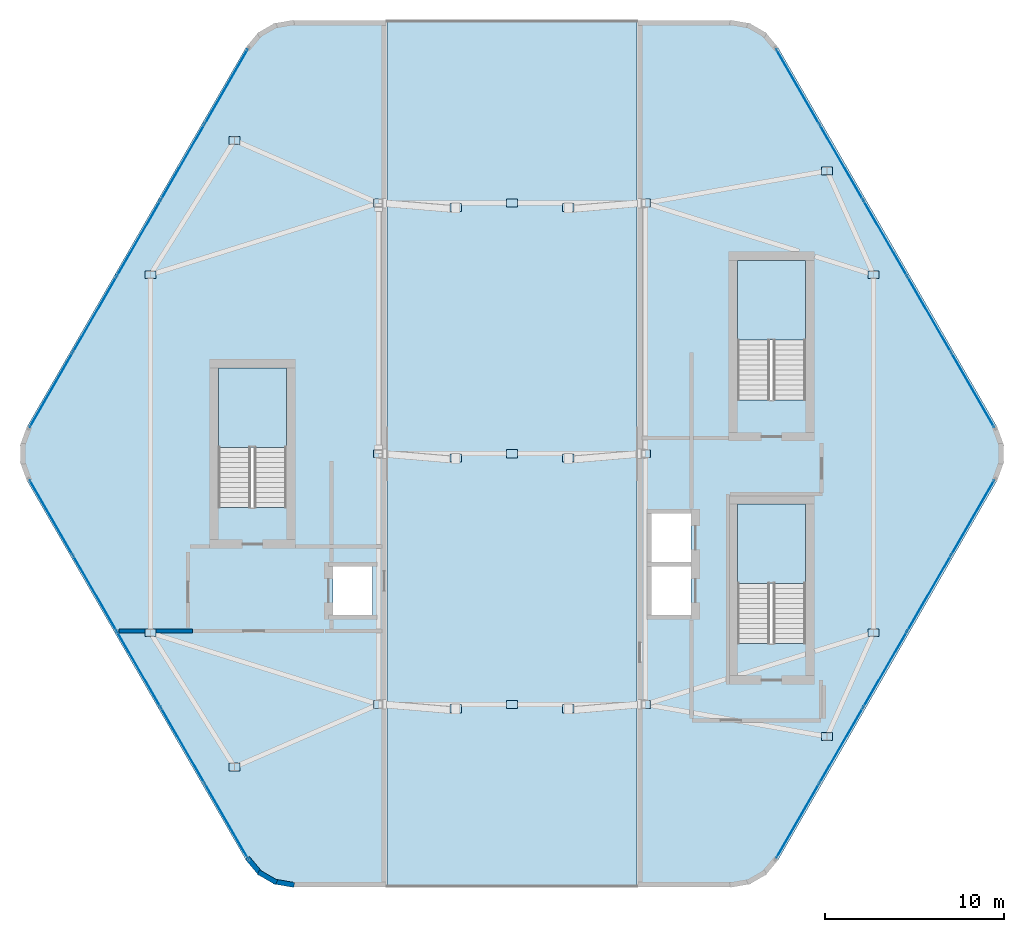
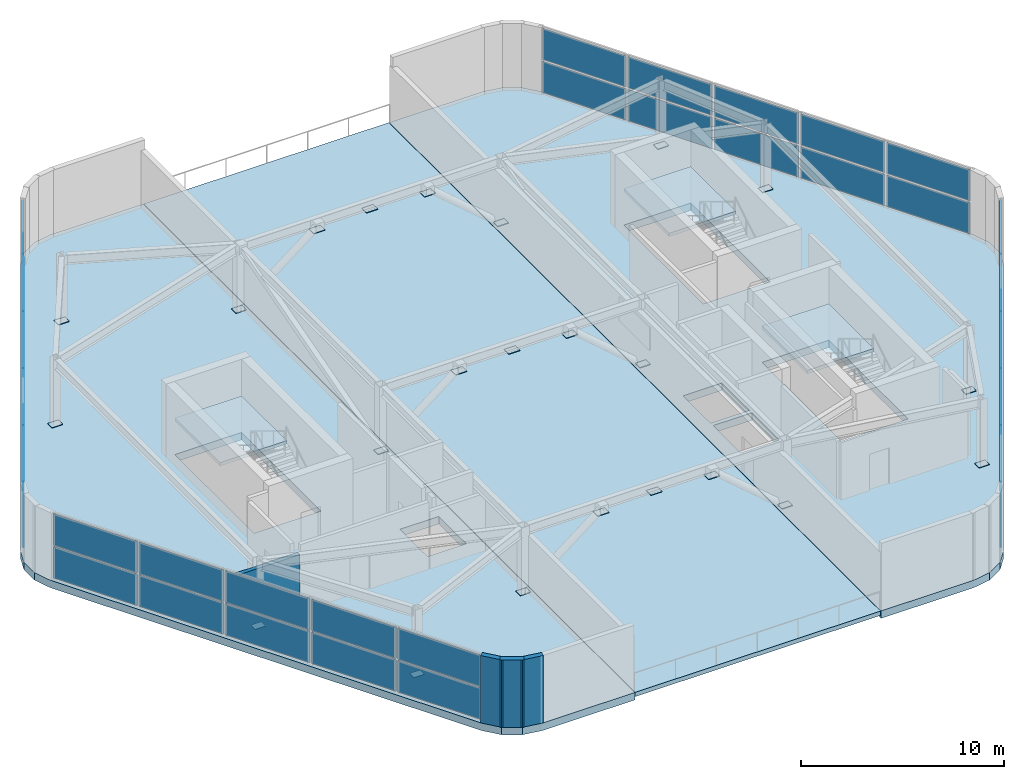
# One storey, part 13 of 17: 63 plates, 6 slabs, 4 walls, 7 elements without a shape of their own.
"""IFC4 building model written with IfcOpenShell, lengths in metres."""

from ifc_helpers import new_model, si_unit, direction, frame, frame_2d, origin, origin_2d, place, context, subcontext, project, spatial, polyline, rectangle, outline, extrude, material, layer, layer_set, type_object, element, aggregate, save


model = new_model("IFC4")

# Units and contexts
model_context = context("Model", 3, precision=1e-05, world=origin(), true_north=direction((0.0, 1.0)))
body_context = subcontext(model_context, "Body", "Model", "MODEL_VIEW")
ifc_project = project(units=[si_unit("LENGTHUNIT", "METRE"), si_unit("AREAUNIT", "SQUARE_METRE"), si_unit("VOLUMEUNIT", "CUBIC_METRE"), si_unit("PLANEANGLEUNIT", "RADIAN"), si_unit("MASSUNIT", "GRAM", prefix="KILO")], contexts=[model_context])

# Site, building, storey
site_placement = place(None, origin())
site = spatial("IfcSite", under=ifc_project, at=site_placement, CompositionType="ELEMENT")
building_placement = place(site_placement, origin())
building = spatial("IfcBuilding", under=site, at=building_placement, Name="Zuhravey Tower", CompositionType="ELEMENT")
storey_placement = place(building_placement, frame((0.0, 0.0, 361.39990234375)))
storey = spatial("IfcBuildingStorey", under=building, at=storey_placement, Name="L92", CompositionType="ELEMENT", Elevation=361.39990234375)

# Plates
ifc_material_1 = material(Name="Steel SM460", Category="steel")
ifc_layer_1 = layer(ifc_material_1, 0.030029296875)
ifc_layer_set_1 = layer_set([ifc_layer_1], Name="Steel SM460")
plate_type_1 = type_object("IfcPlateType", Name="Crown Base Anchor Node Plate ND9", PredefinedType="SHEET", material=ifc_layer_set_1)
for number, where, z_axis, x_axis, name in (
    (1, (15.800048828125, 22.0, 0.0), (0.0, 0.0, 1.0), (1.0, 0.0, 0.0), "L92 Crown Base Plate ND9-WC1"),
    (2, (15.800048828125, 42.0, 0.0), (0.0, 0.0, 1.0), (1.0, 0.0, 0.0), "L92 Crown Base Plate ND9-WC2"),
    (3, (20.5, 14.5, 0.0), (0.0, 0.0, 1.0), (1.0, 0.0, 0.0), "L92 Crown Base Plate ND9-WC3"),
    (4, (20.5, 49.5, 0.0), (0.0, 0.0, 1.0), (1.0, 0.0, 0.0), "L92 Crown Base Plate ND9-WC4"),
    (5, (28.550048828125, 18.0, 0.0), (0.0, 0.0, 1.0), (1.0, 0.0, 0.0), "L92 Crown Base Plate ND9-WP1"),
    (6, (28.550048828125, 32.0, 0.0), (0.0, 0.0, 1.0), (1.0, 0.0, 0.0), "L92 Crown Base Plate ND9-WP2"),
    (7, (28.550048828125, 46.0, 0.0), (0.0, 0.0, 1.0), (1.0, 0.0, 0.0), "L92 Crown Base Plate ND9-WP3"),
    (8, (56.199951171875, 22.0, 0.0), (0.0, 0.0, 1.0), (1.0, 0.0, 0.0), "L92 Crown Base Plate ND9-EC1"),
    (9, (56.199951171875, 42.0, 0.0), (0.0, 0.0, 1.0), (1.0, 0.0, 0.0), "L92 Crown Base Plate ND9-EC2"),
    (10, (53.60009765625, 16.199951171875, 0.0), (0.0, 0.0, 1.0), (1.0, 0.0, 0.0), "L92 Crown Base Plate ND9-EC3"),
    (11, (53.60009765625, 47.800048828125, 0.0), (0.0, 0.0, 1.0), (1.0, 0.0, 0.0), "L92 Crown Base Plate ND9-EC4"),
    (12, (43.449951171875, 18.0, 0.0), (0.0, 0.0, 1.0), (1.0, 0.0, 0.0), "L92 Crown Base Plate ND9-EP1"),
    (13, (43.449951171875, 32.0, 0.0), (0.0, 0.0, 1.0), (1.0, 0.0, 0.0), "L92 Crown Base Plate ND9-EP2"),
    (14, (43.449951171875, 46.0, 0.0), (0.0, 0.0, 1.0), (1.0, 0.0, 0.0), "L92 Crown Base Plate ND9-EP3"),
):
    element("IfcPlate", number, at=place(storey_placement, frame(where, z_axis=z_axis, x_axis=x_axis)), inside=storey, type_object=plate_type_1, Name=name, PredefinedType="SHEET", context=body_context, shape_type="SweptSolid", body=[
        extrude(rectangle(XDim=0.60009765625, YDim=0.43994140625, at=origin_2d()), origin(), (0.0, 0.0, 1.0), 0.030029296875),
    ])

# Curtain wall, plates
ifc_material_2 = material(Name="Thermally broken anodised aluminium", Category="aluminium")
curtain_wall_type = type_object("IfcCurtainWallType", Name="Split-Top Crown Screened Curtain Wall CW6", PredefinedType="NOTDEFINED", material=ifc_material_2)
curtain_wall_1_placement = place(storey_placement, origin())
curtain_wall_1 = element("IfcCurtainWall", 15, at=curtain_wall_1_placement, inside=storey, type_object=curtain_wall_type, Name="L92 CW6 CW6-L92-WEST-04", PredefinedType="NOTDEFINED")
ifc_material_3 = material(Name="Bronze-anodised perforated girih aluminium", Category="aluminium")
ifc_layer_2 = layer(ifc_material_3, 0.035888671875)
ifc_layer_set_2 = layer_set([ifc_layer_2], Name="Bronze-anodised perforated girih aluminium")
plate_type_2 = type_object("IfcPlateType", Name="Girih Perforated Crown Panel", PredefinedType="CURTAIN_PANEL", material=ifc_layer_set_2)
plate_1_placement = place(storey_placement, frame((20.04443359375, 11.487548828125, 0.10009765625), z_axis=(0.0, 0.0, 1.0), x_axis=(-0.499997124838, 0.866027063754, 0.0)))
plate_1 = element("IfcPlate", 16, at=plate_1_placement, type_object=plate_type_2, Name="CW6 panel 1.1", PredefinedType="CURTAIN_PANEL", context=body_context, shape_type="SweptSolid", body=[
    extrude(rectangle(XDim=4.755859375, YDim=0.035888671875, at=origin_2d()), origin(), (0.0, 0.0, 1.0), 1.875),
])
plate_2_placement = place(storey_placement, frame((20.04443359375, 11.487548828125, 2.0751953125), z_axis=(0.0, 0.0, 1.0), x_axis=(-0.499997124838, 0.866027063754, 0.0)))
plate_2 = element("IfcPlate", 17, at=plate_2_placement, type_object=plate_type_2, Name="CW6 panel 1.2", PredefinedType="CURTAIN_PANEL", context=body_context, shape_type="SweptSolid", body=[
    extrude(rectangle(XDim=4.755859375, YDim=0.035888671875, at=origin_2d()), origin(), (0.0, 0.0, 1.0), 1.875),
])
plate_3_placement = place(storey_placement, frame((17.604248046875, 15.71435546875, 0.10009765625), z_axis=(0.0, 0.0, 1.0), x_axis=(-0.499997124838, 0.866027063754, 0.0)))
plate_3 = element("IfcPlate", 18, at=plate_3_placement, type_object=plate_type_2, Name="CW6 panel 2.1", PredefinedType="CURTAIN_PANEL", context=body_context, shape_type="SweptSolid", body=[
    extrude(rectangle(XDim=4.805908203125, YDim=0.035888671875, at=origin_2d()), origin(), (0.0, 0.0, 1.0), 1.875),
])
plate_4_placement = place(storey_placement, frame((17.604248046875, 15.71435546875, 2.0751953125), z_axis=(0.0, 0.0, 1.0), x_axis=(-0.499997124838, 0.866027063754, 0.0)))
plate_4 = element("IfcPlate", 19, at=plate_4_placement, type_object=plate_type_2, Name="CW6 panel 2.2", PredefinedType="CURTAIN_PANEL", context=body_context, shape_type="SweptSolid", body=[
    extrude(rectangle(XDim=4.805908203125, YDim=0.035888671875, at=origin_2d()), origin(), (0.0, 0.0, 1.0), 1.875),
])
plate_5_placement = place(storey_placement, frame((15.1513671875, 19.962890625, 0.10009765625), z_axis=(0.0, 0.0, 1.0), x_axis=(-0.499997124838, 0.866027063754, 0.0)))
plate_5 = element("IfcPlate", 20, at=plate_5_placement, type_object=plate_type_2, Name="CW6 panel 3.1", PredefinedType="CURTAIN_PANEL", context=body_context, shape_type="SweptSolid", body=[
    extrude(rectangle(XDim=4.805908203125, YDim=0.035888671875, at=origin_2d()), origin(), (0.0, 0.0, 1.0), 1.875),
])
plate_6_placement = place(storey_placement, frame((15.1513671875, 19.962890625, 2.0751953125), z_axis=(0.0, 0.0, 1.0), x_axis=(-0.499997124838, 0.866027063754, 0.0)))
plate_6 = element("IfcPlate", 21, at=plate_6_placement, type_object=plate_type_2, Name="CW6 panel 3.2", PredefinedType="CURTAIN_PANEL", context=body_context, shape_type="SweptSolid", body=[
    extrude(rectangle(XDim=4.805908203125, YDim=0.035888671875, at=origin_2d()), origin(), (0.0, 0.0, 1.0), 1.875),
])
plate_7_placement = place(storey_placement, frame((12.6982421875, 24.21142578125, 0.10009765625), z_axis=(0.0, 0.0, 1.0), x_axis=(-0.499997124838, 0.866027063754, 0.0)))
plate_7 = element("IfcPlate", 22, at=plate_7_placement, type_object=plate_type_2, Name="CW6 panel 4.1", PredefinedType="CURTAIN_PANEL", context=body_context, shape_type="SweptSolid", body=[
    extrude(rectangle(XDim=4.805908203125, YDim=0.035888671875, at=origin_2d()), origin(), (0.0, 0.0, 1.0), 1.875),
])
plate_8_placement = place(storey_placement, frame((12.6982421875, 24.21142578125, 2.0751953125), z_axis=(0.0, 0.0, 1.0), x_axis=(-0.499997124838, 0.866027063754, 0.0)))
plate_8 = element("IfcPlate", 23, at=plate_8_placement, type_object=plate_type_2, Name="CW6 panel 4.2", PredefinedType="CURTAIN_PANEL", context=body_context, shape_type="SweptSolid", body=[
    extrude(rectangle(XDim=4.805908203125, YDim=0.035888671875, at=origin_2d()), origin(), (0.0, 0.0, 1.0), 1.875),
])
plate_9_placement = place(storey_placement, frame((10.258056640625, 28.4384765625, 0.10009765625), z_axis=(0.0, 0.0, 1.0), x_axis=(-0.499997124838, 0.866027063754, 0.0)))
plate_9 = element("IfcPlate", 24, at=plate_9_placement, type_object=plate_type_2, Name="CW6 panel 5.1", PredefinedType="CURTAIN_PANEL", context=body_context, shape_type="SweptSolid", body=[
    extrude(rectangle(XDim=4.755859375, YDim=0.035888671875, at=origin_2d()), origin(), (0.0, 0.0, 1.0), 1.875),
])
plate_10_placement = place(storey_placement, frame((10.258056640625, 28.4384765625, 2.0751953125), z_axis=(0.0, 0.0, 1.0), x_axis=(-0.499997124838, 0.866027063754, 0.0)))
plate_10 = element("IfcPlate", 25, at=plate_10_placement, type_object=plate_type_2, Name="CW6 panel 5.2", PredefinedType="CURTAIN_PANEL", context=body_context, shape_type="SweptSolid", body=[
    extrude(rectangle(XDim=4.755859375, YDim=0.035888671875, at=origin_2d()), origin(), (0.0, 0.0, 1.0), 1.875),
])
aggregate(curtain_wall_1, [plate_1, plate_2, plate_3, plate_4, plate_5, plate_6, plate_7, plate_8, plate_9, plate_10])

curtain_wall_2_placement = place(storey_placement, origin())
curtain_wall_2 = element("IfcCurtainWall", 26, at=curtain_wall_2_placement, inside=storey, type_object=curtain_wall_type, Name="L92 CW6 CW6-L92-WEST-08", PredefinedType="NOTDEFINED")
plate_11_placement = place(storey_placement, frame((10.258056640625, 35.5615234375, 0.10009765625), z_axis=(0.0, 0.0, 1.0), x_axis=(0.499997124838, 0.866027063754, 0.0)))
plate_11 = element("IfcPlate", 27, at=plate_11_placement, type_object=plate_type_2, Name="CW6 panel 1.1", PredefinedType="CURTAIN_PANEL", context=body_context, shape_type="SweptSolid", body=[
    extrude(rectangle(XDim=4.755859375, YDim=0.035888671875, at=origin_2d()), origin(), (0.0, 0.0, 1.0), 1.875),
])
plate_12_placement = place(storey_placement, frame((10.258056640625, 35.5615234375, 2.0751953125), z_axis=(0.0, 0.0, 1.0), x_axis=(0.499997124838, 0.866027063754, 0.0)))
plate_12 = element("IfcPlate", 28, at=plate_12_placement, type_object=plate_type_2, Name="CW6 panel 1.2", PredefinedType="CURTAIN_PANEL", context=body_context, shape_type="SweptSolid", body=[
    extrude(rectangle(XDim=4.755859375, YDim=0.035888671875, at=origin_2d()), origin(), (0.0, 0.0, 1.0), 1.875),
])
plate_13_placement = place(storey_placement, frame((12.6982421875, 39.78857421875, 0.10009765625), z_axis=(0.0, 0.0, 1.0), x_axis=(0.499997124838, 0.866027063754, 0.0)))
plate_13 = element("IfcPlate", 29, at=plate_13_placement, type_object=plate_type_2, Name="CW6 panel 2.1", PredefinedType="CURTAIN_PANEL", context=body_context, shape_type="SweptSolid", body=[
    extrude(rectangle(XDim=4.805908203125, YDim=0.035888671875, at=origin_2d()), origin(), (0.0, 0.0, 1.0), 1.875),
])
plate_14_placement = place(storey_placement, frame((12.6982421875, 39.78857421875, 2.0751953125), z_axis=(0.0, 0.0, 1.0), x_axis=(0.499997124838, 0.866027063754, 0.0)))
plate_14 = element("IfcPlate", 30, at=plate_14_placement, type_object=plate_type_2, Name="CW6 panel 2.2", PredefinedType="CURTAIN_PANEL", context=body_context, shape_type="SweptSolid", body=[
    extrude(rectangle(XDim=4.805908203125, YDim=0.035888671875, at=origin_2d()), origin(), (0.0, 0.0, 1.0), 1.875),
])
plate_15_placement = place(storey_placement, frame((15.1513671875, 44.037109375, 0.10009765625), z_axis=(0.0, 0.0, 1.0), x_axis=(0.499997124838, 0.866027063754, 0.0)))
plate_15 = element("IfcPlate", 31, at=plate_15_placement, type_object=plate_type_2, Name="CW6 panel 3.1", PredefinedType="CURTAIN_PANEL", context=body_context, shape_type="SweptSolid", body=[
    extrude(rectangle(XDim=4.805908203125, YDim=0.035888671875, at=origin_2d()), origin(), (0.0, 0.0, 1.0), 1.875),
])
plate_16_placement = place(storey_placement, frame((15.1513671875, 44.037109375, 2.0751953125), z_axis=(0.0, 0.0, 1.0), x_axis=(0.499997124838, 0.866027063754, 0.0)))
plate_16 = element("IfcPlate", 32, at=plate_16_placement, type_object=plate_type_2, Name="CW6 panel 3.2", PredefinedType="CURTAIN_PANEL", context=body_context, shape_type="SweptSolid", body=[
    extrude(rectangle(XDim=4.805908203125, YDim=0.035888671875, at=origin_2d()), origin(), (0.0, 0.0, 1.0), 1.875),
])
plate_17_placement = place(storey_placement, frame((17.604248046875, 48.28564453125, 0.10009765625), z_axis=(0.0, 0.0, 1.0), x_axis=(0.499997124838, 0.866027063754, 0.0)))
plate_17 = element("IfcPlate", 33, at=plate_17_placement, type_object=plate_type_2, Name="CW6 panel 4.1", PredefinedType="CURTAIN_PANEL", context=body_context, shape_type="SweptSolid", body=[
    extrude(rectangle(XDim=4.805908203125, YDim=0.035888671875, at=origin_2d()), origin(), (0.0, 0.0, 1.0), 1.875),
])
plate_18_placement = place(storey_placement, frame((17.604248046875, 48.28564453125, 2.0751953125), z_axis=(0.0, 0.0, 1.0), x_axis=(0.499997124838, 0.866027063754, 0.0)))
plate_18 = element("IfcPlate", 34, at=plate_18_placement, type_object=plate_type_2, Name="CW6 panel 4.2", PredefinedType="CURTAIN_PANEL", context=body_context, shape_type="SweptSolid", body=[
    extrude(rectangle(XDim=4.805908203125, YDim=0.035888671875, at=origin_2d()), origin(), (0.0, 0.0, 1.0), 1.875),
])
plate_19_placement = place(storey_placement, frame((20.04443359375, 52.512451171875, 0.10009765625), z_axis=(0.0, 0.0, 1.0), x_axis=(0.499997124838, 0.866027063754, 0.0)))
plate_19 = element("IfcPlate", 35, at=plate_19_placement, type_object=plate_type_2, Name="CW6 panel 5.1", PredefinedType="CURTAIN_PANEL", context=body_context, shape_type="SweptSolid", body=[
    extrude(rectangle(XDim=4.755859375, YDim=0.035888671875, at=origin_2d()), origin(), (0.0, 0.0, 1.0), 1.875),
])
plate_20_placement = place(storey_placement, frame((20.04443359375, 52.512451171875, 2.0751953125), z_axis=(0.0, 0.0, 1.0), x_axis=(0.499997124838, 0.866027063754, 0.0)))
plate_20 = element("IfcPlate", 36, at=plate_20_placement, type_object=plate_type_2, Name="CW6 panel 5.2", PredefinedType="CURTAIN_PANEL", context=body_context, shape_type="SweptSolid", body=[
    extrude(rectangle(XDim=4.755859375, YDim=0.035888671875, at=origin_2d()), origin(), (0.0, 0.0, 1.0), 1.875),
])
aggregate(curtain_wall_2, [plate_11, plate_12, plate_13, plate_14, plate_15, plate_16, plate_17, plate_18, plate_19, plate_20])

curtain_wall_3_placement = place(storey_placement, origin())
curtain_wall_3 = element("IfcCurtainWall", 37, at=curtain_wall_3_placement, inside=storey, type_object=curtain_wall_type, Name="L92 CW6 CW6-L92-EAST-04", PredefinedType="NOTDEFINED")
plate_21_placement = place(storey_placement, frame((51.95556640625, 52.512451171875, 0.10009765625), z_axis=(0.0, 0.0, 1.0), x_axis=(0.499997124838, -0.866027063754, 0.0)))
plate_21 = element("IfcPlate", 38, at=plate_21_placement, type_object=plate_type_2, Name="CW6 panel 1.1", PredefinedType="CURTAIN_PANEL", context=body_context, shape_type="SweptSolid", body=[
    extrude(rectangle(XDim=4.755859375, YDim=0.035888671875, at=origin_2d()), origin(), (0.0, 0.0, 1.0), 1.875),
])
plate_22_placement = place(storey_placement, frame((51.95556640625, 52.512451171875, 2.0751953125), z_axis=(0.0, 0.0, 1.0), x_axis=(0.499997124838, -0.866027063754, 0.0)))
plate_22 = element("IfcPlate", 39, at=plate_22_placement, type_object=plate_type_2, Name="CW6 panel 1.2", PredefinedType="CURTAIN_PANEL", context=body_context, shape_type="SweptSolid", body=[
    extrude(rectangle(XDim=4.755859375, YDim=0.035888671875, at=origin_2d()), origin(), (0.0, 0.0, 1.0), 1.875),
])
plate_23_placement = place(storey_placement, frame((54.395751953125, 48.28564453125, 0.10009765625), z_axis=(0.0, 0.0, 1.0), x_axis=(0.499997124838, -0.866027063754, 0.0)))
plate_23 = element("IfcPlate", 40, at=plate_23_placement, type_object=plate_type_2, Name="CW6 panel 2.1", PredefinedType="CURTAIN_PANEL", context=body_context, shape_type="SweptSolid", body=[
    extrude(rectangle(XDim=4.805908203125, YDim=0.035888671875, at=origin_2d()), origin(), (0.0, 0.0, 1.0), 1.875),
])
plate_24_placement = place(storey_placement, frame((54.395751953125, 48.28564453125, 2.0751953125), z_axis=(0.0, 0.0, 1.0), x_axis=(0.499997124838, -0.866027063754, 0.0)))
plate_24 = element("IfcPlate", 41, at=plate_24_placement, type_object=plate_type_2, Name="CW6 panel 2.2", PredefinedType="CURTAIN_PANEL", context=body_context, shape_type="SweptSolid", body=[
    extrude(rectangle(XDim=4.805908203125, YDim=0.035888671875, at=origin_2d()), origin(), (0.0, 0.0, 1.0), 1.875),
])
plate_25_placement = place(storey_placement, frame((56.8486328125, 44.037109375, 0.10009765625), z_axis=(0.0, 0.0, 1.0), x_axis=(0.499997124838, -0.866027063754, 0.0)))
plate_25 = element("IfcPlate", 42, at=plate_25_placement, type_object=plate_type_2, Name="CW6 panel 3.1", PredefinedType="CURTAIN_PANEL", context=body_context, shape_type="SweptSolid", body=[
    extrude(rectangle(XDim=4.805908203125, YDim=0.035888671875, at=origin_2d()), origin(), (0.0, 0.0, 1.0), 1.875),
])
plate_26_placement = place(storey_placement, frame((56.8486328125, 44.037109375, 2.0751953125), z_axis=(0.0, 0.0, 1.0), x_axis=(0.499997124838, -0.866027063754, 0.0)))
plate_26 = element("IfcPlate", 43, at=plate_26_placement, type_object=plate_type_2, Name="CW6 panel 3.2", PredefinedType="CURTAIN_PANEL", context=body_context, shape_type="SweptSolid", body=[
    extrude(rectangle(XDim=4.805908203125, YDim=0.035888671875, at=origin_2d()), origin(), (0.0, 0.0, 1.0), 1.875),
])
plate_27_placement = place(storey_placement, frame((59.3017578125, 39.78857421875, 0.10009765625), z_axis=(0.0, 0.0, 1.0), x_axis=(0.499997124838, -0.866027063754, 0.0)))
plate_27 = element("IfcPlate", 44, at=plate_27_placement, type_object=plate_type_2, Name="CW6 panel 4.1", PredefinedType="CURTAIN_PANEL", context=body_context, shape_type="SweptSolid", body=[
    extrude(rectangle(XDim=4.805908203125, YDim=0.035888671875, at=origin_2d()), origin(), (0.0, 0.0, 1.0), 1.875),
])
plate_28_placement = place(storey_placement, frame((59.3017578125, 39.78857421875, 2.0751953125), z_axis=(0.0, 0.0, 1.0), x_axis=(0.499997124838, -0.866027063754, 0.0)))
plate_28 = element("IfcPlate", 45, at=plate_28_placement, type_object=plate_type_2, Name="CW6 panel 4.2", PredefinedType="CURTAIN_PANEL", context=body_context, shape_type="SweptSolid", body=[
    extrude(rectangle(XDim=4.805908203125, YDim=0.035888671875, at=origin_2d()), origin(), (0.0, 0.0, 1.0), 1.875),
])
plate_29_placement = place(storey_placement, frame((61.741943359375, 35.5615234375, 0.10009765625), z_axis=(0.0, 0.0, 1.0), x_axis=(0.499997124838, -0.866027063754, 0.0)))
plate_29 = element("IfcPlate", 46, at=plate_29_placement, type_object=plate_type_2, Name="CW6 panel 5.1", PredefinedType="CURTAIN_PANEL", context=body_context, shape_type="SweptSolid", body=[
    extrude(rectangle(XDim=4.755859375, YDim=0.035888671875, at=origin_2d()), origin(), (0.0, 0.0, 1.0), 1.875),
])
plate_30_placement = place(storey_placement, frame((61.741943359375, 35.5615234375, 2.0751953125), z_axis=(0.0, 0.0, 1.0), x_axis=(0.499997124838, -0.866027063754, 0.0)))
plate_30 = element("IfcPlate", 47, at=plate_30_placement, type_object=plate_type_2, Name="CW6 panel 5.2", PredefinedType="CURTAIN_PANEL", context=body_context, shape_type="SweptSolid", body=[
    extrude(rectangle(XDim=4.755859375, YDim=0.035888671875, at=origin_2d()), origin(), (0.0, 0.0, 1.0), 1.875),
])
aggregate(curtain_wall_3, [plate_21, plate_22, plate_23, plate_24, plate_25, plate_26, plate_27, plate_28, plate_29, plate_30])

curtain_wall_4_placement = place(storey_placement, origin())
curtain_wall_4 = element("IfcCurtainWall", 48, at=curtain_wall_4_placement, inside=storey, type_object=curtain_wall_type, Name="L92 CW6 CW6-L92-EAST-08", PredefinedType="NOTDEFINED")
plate_31_placement = place(storey_placement, frame((61.741943359375, 28.4384765625, 0.10009765625), z_axis=(0.0, 0.0, 1.0), x_axis=(-0.499997124838, -0.866027063754, 0.0)))
plate_31 = element("IfcPlate", 49, at=plate_31_placement, type_object=plate_type_2, Name="CW6 panel 1.1", PredefinedType="CURTAIN_PANEL", context=body_context, shape_type="SweptSolid", body=[
    extrude(rectangle(XDim=4.755859375, YDim=0.035888671875, at=origin_2d()), origin(), (0.0, 0.0, 1.0), 1.875),
])
plate_32_placement = place(storey_placement, frame((61.741943359375, 28.4384765625, 2.0751953125), z_axis=(0.0, 0.0, 1.0), x_axis=(-0.499997124838, -0.866027063754, 0.0)))
plate_32 = element("IfcPlate", 50, at=plate_32_placement, type_object=plate_type_2, Name="CW6 panel 1.2", PredefinedType="CURTAIN_PANEL", context=body_context, shape_type="SweptSolid", body=[
    extrude(rectangle(XDim=4.755859375, YDim=0.035888671875, at=origin_2d()), origin(), (0.0, 0.0, 1.0), 1.875),
])
plate_33_placement = place(storey_placement, frame((59.3017578125, 24.21142578125, 0.10009765625), z_axis=(0.0, 0.0, 1.0), x_axis=(-0.499997124838, -0.866027063754, 0.0)))
plate_33 = element("IfcPlate", 51, at=plate_33_placement, type_object=plate_type_2, Name="CW6 panel 2.1", PredefinedType="CURTAIN_PANEL", context=body_context, shape_type="SweptSolid", body=[
    extrude(rectangle(XDim=4.805908203125, YDim=0.035888671875, at=origin_2d()), origin(), (0.0, 0.0, 1.0), 1.875),
])
plate_34_placement = place(storey_placement, frame((59.3017578125, 24.21142578125, 2.0751953125), z_axis=(0.0, 0.0, 1.0), x_axis=(-0.499997124838, -0.866027063754, 0.0)))
plate_34 = element("IfcPlate", 52, at=plate_34_placement, type_object=plate_type_2, Name="CW6 panel 2.2", PredefinedType="CURTAIN_PANEL", context=body_context, shape_type="SweptSolid", body=[
    extrude(rectangle(XDim=4.805908203125, YDim=0.035888671875, at=origin_2d()), origin(), (0.0, 0.0, 1.0), 1.875),
])
plate_35_placement = place(storey_placement, frame((56.8486328125, 19.962890625, 0.10009765625), z_axis=(0.0, 0.0, 1.0), x_axis=(-0.499997124838, -0.866027063754, 0.0)))
plate_35 = element("IfcPlate", 53, at=plate_35_placement, type_object=plate_type_2, Name="CW6 panel 3.1", PredefinedType="CURTAIN_PANEL", context=body_context, shape_type="SweptSolid", body=[
    extrude(rectangle(XDim=4.805908203125, YDim=0.035888671875, at=origin_2d()), origin(), (0.0, 0.0, 1.0), 1.875),
])
plate_36_placement = place(storey_placement, frame((56.8486328125, 19.962890625, 2.0751953125), z_axis=(0.0, 0.0, 1.0), x_axis=(-0.499997124838, -0.866027063754, 0.0)))
plate_36 = element("IfcPlate", 54, at=plate_36_placement, type_object=plate_type_2, Name="CW6 panel 3.2", PredefinedType="CURTAIN_PANEL", context=body_context, shape_type="SweptSolid", body=[
    extrude(rectangle(XDim=4.805908203125, YDim=0.035888671875, at=origin_2d()), origin(), (0.0, 0.0, 1.0), 1.875),
])
plate_37_placement = place(storey_placement, frame((54.395751953125, 15.71435546875, 0.10009765625), z_axis=(0.0, 0.0, 1.0), x_axis=(-0.499997124838, -0.866027063754, 0.0)))
plate_37 = element("IfcPlate", 55, at=plate_37_placement, type_object=plate_type_2, Name="CW6 panel 4.1", PredefinedType="CURTAIN_PANEL", context=body_context, shape_type="SweptSolid", body=[
    extrude(rectangle(XDim=4.805908203125, YDim=0.035888671875, at=origin_2d()), origin(), (0.0, 0.0, 1.0), 1.875),
])
plate_38_placement = place(storey_placement, frame((54.395751953125, 15.71435546875, 2.0751953125), z_axis=(0.0, 0.0, 1.0), x_axis=(-0.499997124838, -0.866027063754, 0.0)))
plate_38 = element("IfcPlate", 56, at=plate_38_placement, type_object=plate_type_2, Name="CW6 panel 4.2", PredefinedType="CURTAIN_PANEL", context=body_context, shape_type="SweptSolid", body=[
    extrude(rectangle(XDim=4.805908203125, YDim=0.035888671875, at=origin_2d()), origin(), (0.0, 0.0, 1.0), 1.875),
])
plate_39_placement = place(storey_placement, frame((51.95556640625, 11.487548828125, 0.10009765625), z_axis=(0.0, 0.0, 1.0), x_axis=(-0.499997124838, -0.866027063754, 0.0)))
plate_39 = element("IfcPlate", 57, at=plate_39_placement, type_object=plate_type_2, Name="CW6 panel 5.1", PredefinedType="CURTAIN_PANEL", context=body_context, shape_type="SweptSolid", body=[
    extrude(rectangle(XDim=4.755859375, YDim=0.035888671875, at=origin_2d()), origin(), (0.0, 0.0, 1.0), 1.875),
])
plate_40_placement = place(storey_placement, frame((51.95556640625, 11.487548828125, 2.0751953125), z_axis=(0.0, 0.0, 1.0), x_axis=(-0.499997124838, -0.866027063754, 0.0)))
plate_40 = element("IfcPlate", 58, at=plate_40_placement, type_object=plate_type_2, Name="CW6 panel 5.2", PredefinedType="CURTAIN_PANEL", context=body_context, shape_type="SweptSolid", body=[
    extrude(rectangle(XDim=4.755859375, YDim=0.035888671875, at=origin_2d()), origin(), (0.0, 0.0, 1.0), 1.875),
])
aggregate(curtain_wall_4, [plate_31, plate_32, plate_33, plate_34, plate_35, plate_36, plate_37, plate_38, plate_39, plate_40])

# Slabs
ifc_material_4 = material(Name="Concrete C60/75", Category="concrete")
ifc_layer_3 = layer(ifc_material_4, 0.449951171875)
ifc_layer_set_3 = layer_set([ifc_layer_3], Name="Concrete C60/75")
slab_type_1 = type_object("IfcSlabType", Name="Podium Transfer Floor Slab 450", PredefinedType="FLOOR", material=ifc_layer_set_3)
slab_1_placement = place(storey_placement, frame((0.0, 0.0, -0.449951171875)))
element("IfcSlab", 59, at=slab_1_placement, inside=storey, type_object=slab_type_1, Name="L92 West Crest Floor Slab TS45", PredefinedType="FLOOR", context=body_context, shape_type="SweptSolid", body=[
    extrude(outline(polyline([(23.72314453125, 7.785888671875), (22.714111328125, 7.9638671875), (21.826904296875, 8.47607421875), (21.16845703125, 9.260986328125), (8.8916015625, 30.52490234375), (8.541259765625, 31.48779296875), (8.541259765625, 32.51220703125), (8.8916015625, 33.47509765625), (21.16845703125, 54.739013671875), (21.826904296875, 55.52392578125), (22.714111328125, 56.0361328125), (23.72314453125, 56.214111328125), (29.0, 56.214111328125), (29.0, 7.785888671875), (23.72314453125, 7.785888671875)]), holes=[polyline([(23.39990234375, 29.000732421875), (23.39990234375, 36.800048828125), (19.60009765625, 36.800048828125), (19.60009765625, 29.000732421875), (23.39990234375, 29.000732421875)]), polyline([(26.0, 23.0), (28.199951171875, 23.0), (28.199951171875, 25.699951171875), (26.0, 25.699951171875), (26.0, 23.0)])]), origin(), (0.0, 0.0, 1.0), 0.449951171875),
])
slab_2_placement = place(storey_placement, frame((0.0, 0.0, -0.449951171875)))
element("IfcSlab", 60, at=slab_2_placement, inside=storey, type_object=slab_type_1, Name="L92 East Crest Floor Slab TS45", PredefinedType="FLOOR", context=body_context, shape_type="SweptSolid", body=[
    extrude(outline(polyline([(48.27685546875, 56.214111328125), (49.285888671875, 56.0361328125), (50.173095703125, 55.52392578125), (50.83154296875, 54.739013671875), (63.1083984375, 33.47509765625), (63.458740234375, 32.51220703125), (63.458740234375, 31.48779296875), (63.1083984375, 30.52490234375), (50.83154296875, 9.260986328125), (50.173095703125, 8.47607421875), (49.285888671875, 7.9638671875), (48.27685546875, 7.785888671875), (43.0, 7.785888671875), (43.0, 56.214111328125), (48.27685546875, 56.214111328125)]), holes=[polyline([(52.39990234375, 21.400634765625), (52.39990234375, 29.199951171875), (48.60009765625, 29.199951171875), (48.60009765625, 21.400634765625), (52.39990234375, 21.400634765625)]), polyline([(52.39990234375, 35.000732421875), (52.39990234375, 42.800048828125), (48.60009765625, 42.800048828125), (48.60009765625, 35.000732421875), (52.39990234375, 35.000732421875)]), polyline([(43.800048828125, 23.0), (46.0, 23.0), (46.0, 25.699951171875), (43.800048828125, 25.699951171875), (43.800048828125, 23.0)]), polyline([(43.800048828125, 25.949951171875), (46.0, 25.949951171875), (46.0, 28.64990234375), (43.800048828125, 28.64990234375), (43.800048828125, 25.949951171875)])]), origin(), (0.0, 0.0, 1.0), 0.449951171875),
])
ifc_material_5 = material(Name="Concrete C50/60", Category="concrete")
ifc_layer_4 = layer(ifc_material_5, 0.260009765625)
ifc_layer_set_4 = layer_set([ifc_layer_4], Name="Concrete C50/60")
slab_type_2 = type_object("IfcSlabType", Name="Sky-Playground & Garden Tray Slab 260", PredefinedType="FLOOR", material=ifc_layer_set_4)
slab_3_placement = place(storey_placement, frame((0.0, 0.0, -0.260009765625)))
element("IfcSlab", 61, at=slab_3_placement, inside=storey, type_object=slab_type_2, Name="L92 Wind-Portal Open Saddle Deck GT26", PredefinedType="FLOOR", context=body_context, shape_type="SweptSolid", body=[
    extrude(outline(polyline([(42.97998046875, 56.214111328125), (42.97998046875, 7.785888671875), (29.02001953125, 7.785888671875), (29.02001953125, 56.214111328125), (42.97998046875, 56.214111328125)])), origin(), (0.0, 0.0, 1.0), 0.260009765625),
])

# Stair, slab
ifc_material_6 = material(Name="Concrete C40/50", Category="concrete")
stair_type = type_object("IfcStairType", Name="Crown Storey Stair Assembly 4400", PredefinedType="HALF_TURN_STAIR", material=ifc_material_6)
stair_1_placement = place(storey_placement, origin())
stair_1 = element("IfcStair", 62, at=stair_1_placement, inside=storey, type_object=stair_type, Name="L92 West Crest Stair CST1", PredefinedType="HALF_TURN_STAIR")
ifc_layer_5 = layer(ifc_material_6, 0.199951171875)
ifc_layer_set_5 = layer_set([ifc_layer_5], Name="Concrete C40/50")
slab_type_3 = type_object("IfcSlabType", Name="Stair Landing Slab 200", PredefinedType="LANDING", material=ifc_layer_set_5)
slab_4_placement = place(storey_placement, frame((0.0, 0.0, 2.0)))
slab_4 = element("IfcSlab", 63, at=slab_4_placement, type_object=slab_type_3, Name="CST1 landing 1", PredefinedType="LANDING", context=body_context, shape_type="SweptSolid", body=[
    extrude(outline(polyline([(23.39990234375, 32.360107421875), (23.39990234375, 36.800048828125), (19.60009765625, 36.800048828125), (19.60009765625, 32.360107421875), (23.39990234375, 32.360107421875)])), origin(), (0.0, 0.0, 1.0), 0.2001953125),
])
aggregate(stair_1, [slab_4])

stair_2_placement = place(storey_placement, origin())
stair_2 = element("IfcStair", 64, at=stair_2_placement, inside=storey, type_object=stair_type, Name="L92 East Crest South Stair CST2", PredefinedType="HALF_TURN_STAIR")
slab_5_placement = place(storey_placement, frame((0.0, 0.0, 2.0)))
slab_5 = element("IfcSlab", 65, at=slab_5_placement, type_object=slab_type_3, Name="CST2 landing 1", PredefinedType="LANDING", context=body_context, shape_type="SweptSolid", body=[
    extrude(outline(polyline([(52.39990234375, 24.760009765625), (52.39990234375, 29.199951171875), (48.60009765625, 29.199951171875), (48.60009765625, 24.760009765625), (52.39990234375, 24.760009765625)])), origin(), (0.0, 0.0, 1.0), 0.2001953125),
])
aggregate(stair_2, [slab_5])

stair_3_placement = place(storey_placement, origin())
stair_3 = element("IfcStair", 66, at=stair_3_placement, inside=storey, type_object=stair_type, Name="L92 East Crest North Stair CST3", PredefinedType="HALF_TURN_STAIR")
slab_6_placement = place(storey_placement, frame((0.0, 0.0, 2.0)))
slab_6 = element("IfcSlab", 67, at=slab_6_placement, type_object=slab_type_3, Name="CST3 landing 1", PredefinedType="LANDING", context=body_context, shape_type="SweptSolid", body=[
    extrude(outline(polyline([(52.39990234375, 38.360107421875), (52.39990234375, 42.800048828125), (48.60009765625, 42.800048828125), (48.60009765625, 38.360107421875), (52.39990234375, 38.360107421875)])), origin(), (0.0, 0.0, 1.0), 0.2001953125),
])
aggregate(stair_3, [slab_6])

# Plates
ifc_layer_6 = layer(ifc_material_1, 0.028076171875)
ifc_layer_set_6 = layer_set([ifc_layer_6], Name="Steel SM460")
plate_type_3 = type_object("IfcPlateType", Name="Wind-Portal Saddle Node Plate ND8", PredefinedType="SHEET", material=ifc_layer_set_6)
for number, where, z_axis, x_axis, name in (
    (68, (36.0, 18.0, 3.4375), (0.0, 0.0, 1.0), (1.0, 0.0, 0.0), "L92 Wind-Portal Arch Apex Plate ND8-1"),
    (69, (32.85009765625, 17.760009765625, 3.4375), (0.0, 0.0, 1.0), (1.0, 0.0, 0.0), "L92 Wind-Portal Knee Node Plate ND8-1W"),
    (70, (39.14990234375, 17.760009765625, 3.4375), (0.0, 0.0, 1.0), (1.0, 0.0, 0.0), "L92 Wind-Portal Knee Node Plate ND8-1E"),
    (71, (36.0, 32.0, 3.4375), (0.0, 0.0, 1.0), (1.0, 0.0, 0.0), "L92 Wind-Portal Arch Apex Plate ND8-2"),
    (72, (32.85009765625, 31.760009765625, 3.4375), (0.0, 0.0, 1.0), (1.0, 0.0, 0.0), "L92 Wind-Portal Knee Node Plate ND8-2W"),
    (73, (39.14990234375, 31.760009765625, 3.4375), (0.0, 0.0, 1.0), (1.0, 0.0, 0.0), "L92 Wind-Portal Knee Node Plate ND8-2E"),
    (74, (36.0, 46.0, 3.4375), (0.0, 0.0, 1.0), (1.0, 0.0, 0.0), "L92 Wind-Portal Arch Apex Plate ND8-3"),
    (75, (32.85009765625, 45.760009765625, 3.4375), (0.0, 0.0, 1.0), (1.0, 0.0, 0.0), "L92 Wind-Portal Knee Node Plate ND8-3W"),
    (76, (39.14990234375, 45.760009765625, 3.4375), (0.0, 0.0, 1.0), (1.0, 0.0, 0.0), "L92 Wind-Portal Knee Node Plate ND8-3E"),
):
    element("IfcPlate", number, at=place(storey_placement, frame(where, z_axis=z_axis, x_axis=x_axis)), inside=storey, type_object=plate_type_3, Name=name, PredefinedType="SHEET", context=body_context, shape_type="SweptSolid", body=[
        extrude(rectangle(XDim=0.639892578125, YDim=0.4599609375, at=origin_2d()), origin(), (0.0, 0.0, 1.0), 0.028076171875),
    ])

# Walls
ifc_material_7 = material(Name="Precast concrete C40/50", Category="concrete")
ifc_layer_7 = layer(ifc_material_7, 0.280029296875)
ifc_layer_set_7 = layer_set([ifc_layer_7], Name="Precast concrete C40/50")
wall_type_1 = type_object("IfcWallType", Name="Crown Architectural Wall 280", PredefinedType="SOLIDWALL", material=ifc_layer_set_7)
wall_1_placement = place(storey_placement, frame((23.8291015625, 7.909423828125, 0.0), z_axis=(0.0, 0.0, 1.0), x_axis=(-0.984798162481, 0.173702559495, 0.0)))
element("IfcWall", 77, at=wall_1_placement, inside=storey, type_object=wall_type_1, Name="L92 WEST Crest Wall EW28-01", PredefinedType="SOLIDWALL", context=body_context, shape_type="SweptSolid", body=[
    extrude(rectangle(XDim=1.177734375, YDim=0.280029296875, at=frame_2d((0.5888671875, 0.0))), origin(), (0.0, 0.0, 1.0), 4.050048828125),
])
wall_2_placement = place(storey_placement, frame((22.84521484375, 8.0498046875, 0.0), z_axis=(0.0, 0.0, 1.0), x_axis=(-0.865951785477, 0.500127488975, 0.0)))
element("IfcWall", 78, at=wall_2_placement, inside=storey, type_object=wall_type_1, Name="L92 WEST Crest Wall EW28-02", PredefinedType="SOLIDWALL", context=body_context, shape_type="SweptSolid", body=[
    extrude(rectangle(XDim=1.165283203125, YDim=0.280029296875, at=frame_2d((0.58251953125, 0.0))), origin(), (0.0, 0.0, 1.0), 4.050048828125),
])
wall_3_placement = place(storey_placement, frame((21.9794921875, 8.51220703125, 0.0), z_axis=(0.0, 0.0, 1.0), x_axis=(-0.642851701012, 0.765990659542, 0.0)))
element("IfcWall", 79, at=wall_3_placement, inside=storey, type_object=wall_type_1, Name="L92 WEST Crest Wall EW28-03", PredefinedType="SOLIDWALL", context=body_context, shape_type="SweptSolid", body=[
    extrude(rectangle(XDim=1.177734375, YDim=0.280029296875, at=frame_2d((0.5888671875, 0.0))), origin(), (0.0, 0.0, 1.0), 4.050048828125),
])
ifc_material_8 = material(Name="Gypsum acoustic stud assembly")
ifc_layer_8 = layer(ifc_material_8, 0.219970703125)
ifc_layer_set_8 = layer_set([ifc_layer_8], Name="Gypsum acoustic stud assembly")
wall_type_2 = type_object("IfcWallType", Name="School Acoustic Compartment Wall 220", PredefinedType="PARTITIONING", material=ifc_layer_set_8)
wall_4_placement = place(storey_placement, frame((14.055908203125, 22.10009765625, 0.0), z_axis=(0.0, 0.0, 1.0), x_axis=(1.0, 0.0, 0.0)))
element("IfcWall", 80, at=wall_4_placement, inside=storey, type_object=wall_type_2, Name="L92 IW22 Partition 012", PredefinedType="PARTITIONING", context=body_context, shape_type="SweptSolid", body=[
    extrude(rectangle(XDim=4.093994140625, YDim=0.219970703125, at=frame_2d((2.046875, 0.0))), origin(), (0.0, 0.0, 1.0), 3.47021484375),
])

save(model, "model.ifc")
